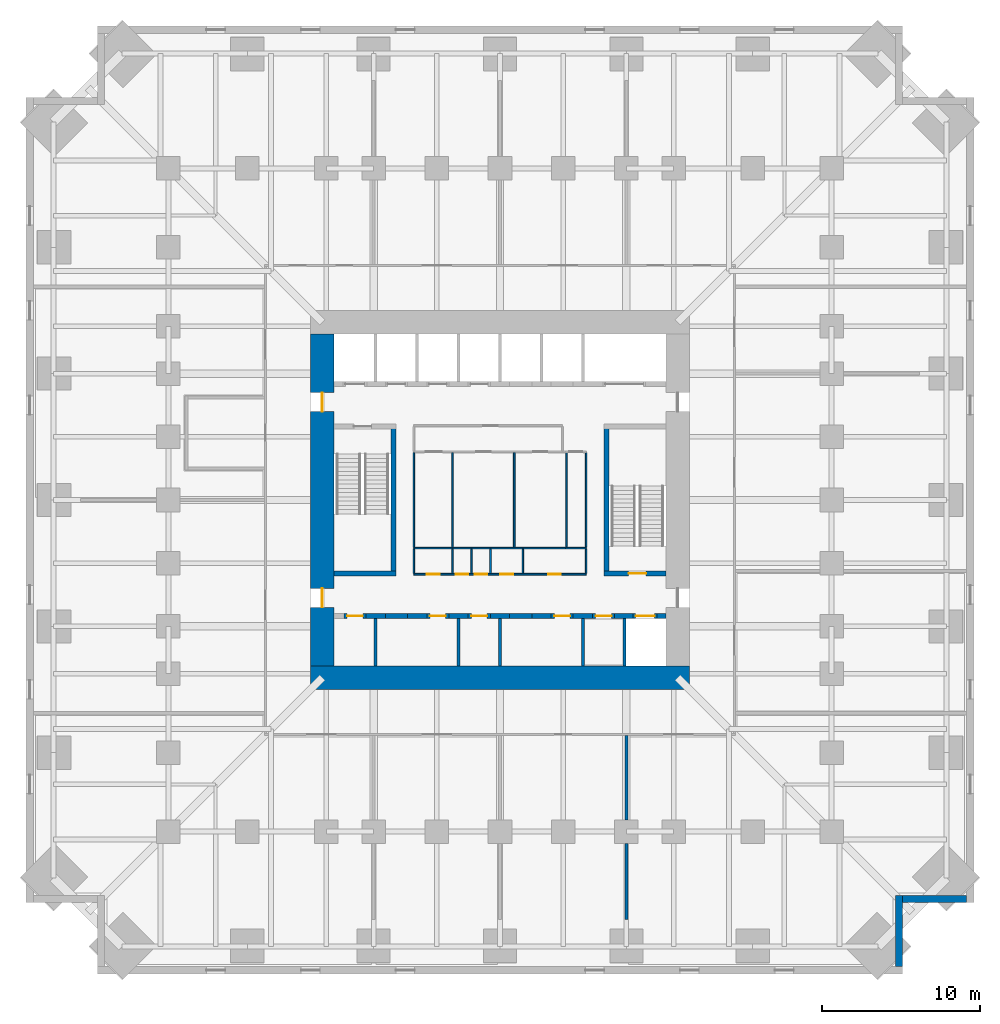
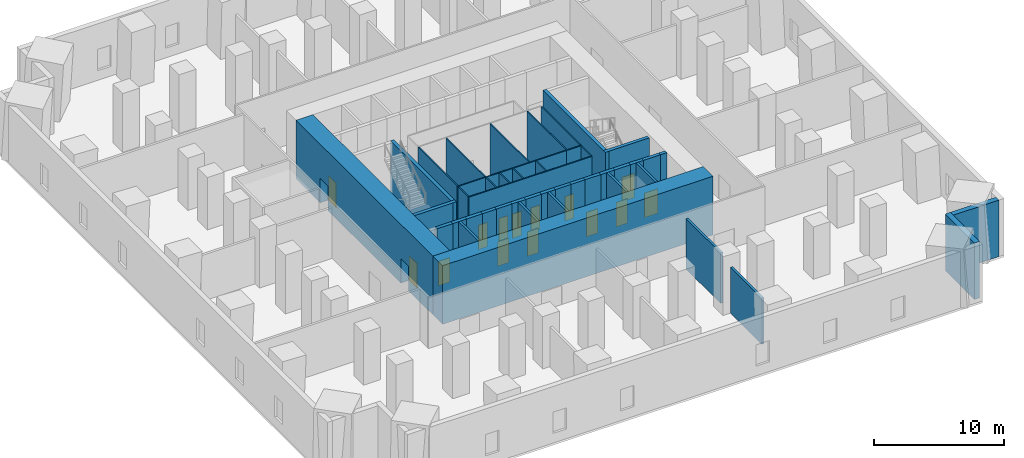
# One storey, part 4 of 8: 45 walls, 14 doors, 14 openings.
"""IFC4 building model written with IfcOpenShell, lengths in metres."""

import ifcopenshell
import ifcopenshell.guid

model = None  # the IFC model being written
_history = None  # IfcOwnerHistory: only IFC2X3 demands one
_inside = {}  # id of a spatial element -> (the spatial element, [elements in it])
_under = {}  # id of a project, library or spatial element -> (it, [spatial elements below it])
_declared = {}  # id of a project -> (the project, [libraries it declares])
_typed = {}  # id of a type object -> (the type object, [elements of that type])
_made_of = {}  # id of a material, layer set ... -> (it, [elements and type objects made of it])


def new_model(schema):
    """Start an empty IFC model of exactly this schema.

    Asked for "IFC4X3", IfcOpenShell would pick the latest addendum, in which some entities
    have other attributes; the version numbers below select the first issue.
    IFC2X3 requires an IfcOwnerHistory on every rooted entity: one is made here for all.
    """
    global model, _history
    if schema == "IFC4X3":
        model = ifcopenshell.file(schema_version=(4, 3, 0, 0))
    else:
        model = ifcopenshell.file(schema=schema)
    _inside.clear()
    _under.clear()
    _declared.clear()
    _typed.clear()
    _made_of.clear()
    _history = None
    if model.schema == "IFC2X3":
        org = make("IfcOrganization", Name="unknown")
        user = make(
            "IfcPersonAndOrganization",
            ThePerson=make("IfcPerson", FamilyName="unknown"),
            TheOrganization=org,
        )
        app = make(
            "IfcApplication",
            ApplicationDeveloper=org,
            Version="unknown",
            ApplicationFullName="unknown",
            ApplicationIdentifier="unknown",
        )
        _history = make(
            "IfcOwnerHistory",
            OwningUser=user,
            OwningApplication=app,
            ChangeAction="ADDED",
            CreationDate=0,
        )
    return model


def make(cls, **values):
    """One entity of the class cls with the attributes given. An attribute that is None is left unset."""
    return model.create_entity(
        cls, **{name: value for name, value in values.items() if value is not None}
    )


def rooted(cls, **values):
    """An entity with a GlobalId (a new one), such as an element, a storey or a relation."""
    return make(cls, GlobalId=ifcopenshell.guid.new(), OwnerHistory=_history, **values)


def si_unit(unit_type, name, prefix=None):
    """IfcSIUnit, for example si_unit("LENGTHUNIT", "METRE", prefix="MILLI")."""
    return make("IfcSIUnit", UnitType=unit_type, Prefix=prefix, Name=name)


def assignment(units):
    """IfcUnitAssignment: the units of a project."""
    return None if units is None else make("IfcUnitAssignment", Units=units)


def point(xyz):
    """IfcCartesianPoint."""
    return None if xyz is None else make("IfcCartesianPoint", Coordinates=xyz)


def direction(xyz):
    """IfcDirection."""
    return None if xyz is None else make("IfcDirection", DirectionRatios=xyz)


def frame(location, z_axis=None, x_axis=None):
    """IfcAxis2Placement3D, a coordinate frame: its origin and axes. An axis left out is left unset."""
    return make(
        "IfcAxis2Placement3D",
        Location=point(location),
        Axis=direction(z_axis),
        RefDirection=direction(x_axis),
    )


def frame_2d(location, x_axis=None):
    """IfcAxis2Placement2D, a coordinate frame in the plane: its origin and x axis."""
    return make(
        "IfcAxis2Placement2D", Location=point(location), RefDirection=direction(x_axis)
    )


def origin():
    """The frame at (0, 0, 0) with its axes left unset."""
    return frame((0.0, 0.0, 0.0))


def place(relative_to, where):
    """IfcLocalPlacement: puts the frame where relative to a parent placement (None: the world)."""
    return make(
        "IfcLocalPlacement", PlacementRelTo=relative_to, RelativePlacement=where
    )


def context(
    kind, dimensions, precision=None, world=None, true_north=None, identifier=None
):
    """IfcGeometricRepresentationContext, for example the 3D "Model" context."""
    return make(
        "IfcGeometricRepresentationContext",
        ContextIdentifier=identifier,
        ContextType=kind,
        CoordinateSpaceDimension=dimensions,
        Precision=precision,
        WorldCoordinateSystem=world,
        TrueNorth=true_north,
    )


def subcontext(parent, identifier, kind, view, scale=None):
    """IfcGeometricRepresentationSubContext, for example "Body" below "Model"."""
    return make(
        "IfcGeometricRepresentationSubContext",
        ContextIdentifier=identifier,
        ContextType=kind,
        ParentContext=parent,
        TargetScale=scale,
        TargetView=view,
    )


def project(units=None, contexts=None):
    """IfcProject with its units and contexts."""
    return rooted(
        "IfcProject",
        Name="project",
        RepresentationContexts=contexts,
        UnitsInContext=assignment(units),
    )


def spatial(cls, under=None, at=None, **own):
    """A site, building, storey or space (cls), placed at a placement, below another one or the project."""
    s = rooted(cls, ObjectPlacement=at, **own)
    if under is not None:
        _under.setdefault(under.id(), (under, []))[1].append(s)
    return s


def profile(cls, at=None, kind="AREA", **sizes):
    """A parametric profile (cls). Its sizes go by their IFC names, for example OverallWidth=200.0."""
    return make(cls, ProfileType=kind, Position=at, **sizes)


def rectangle(**sizes):
    """IfcRectangleProfileDef."""
    return profile("IfcRectangleProfileDef", **sizes)


def extrude(swept, where, along, depth):
    """IfcExtrudedAreaSolid: the profile swept, set in the frame where, extruded along a direction by depth."""
    return make(
        "IfcExtrudedAreaSolid",
        SweptArea=swept,
        Position=where,
        ExtrudedDirection=direction(along),
        Depth=depth,
    )


def shape(context_of_items, identifier, shape_type, items):
    """IfcShapeRepresentation: the items that make up one representation, for example the "Body"."""
    return make(
        "IfcShapeRepresentation",
        ContextOfItems=context_of_items,
        RepresentationIdentifier=identifier,
        RepresentationType=shape_type,
        Items=items,
    )


def material(Name=None, Category=None):
    """IfcMaterial."""
    return make("IfcMaterial", Name=Name, Category=Category)


def layer(
    of_material, thickness, ventilated=None, Name=None, Category=None, Priority=None
):
    """IfcMaterialLayer: one layer of a wall or slab, of a material (None: an air gap)."""
    return make(
        "IfcMaterialLayer",
        Material=of_material,
        LayerThickness=thickness,
        IsVentilated=ventilated,
        Name=Name,
        Category=Category,
        Priority=Priority,
    )


def layer_set(layers, Name=None):
    """IfcMaterialLayerSet."""
    return make("IfcMaterialLayerSet", MaterialLayers=layers, LayerSetName=Name)


def made_of(thing, what):
    """Note that an element or type object is made of a material, layer set ...; save() writes the relation."""
    if what is not None:
        _made_of.setdefault(what.id(), (what, []))[1].append(thing)
    return thing


def type_object(cls, material=None, **own):
    """A type object (cls), such as IfcWallType, which elements share."""
    return made_of(rooted(cls, **own), material)


def element(
    cls,
    number,
    at=None,
    inside=None,
    cuts=None,
    type_object=None,
    material=None,
    context=None,
    identifier="Body",
    shape_type=None,
    held_by="IfcProductDefinitionShape",
    body=None,
    shapes=None,
    **own,
):
    """One element of the class cls, such as IfcWall. Its Tag is "e" and its number.

    at: its placement. inside: the storey or other place that contains it. cuts: it is an
    opening in that element (IfcRelVoidsElement). A single representation is given by context,
    identifier, shape_type and body (its items); several are given by shapes. held_by: the class
    of the entity that holds the representations. save() writes the other relations.
    """
    e = rooted(cls, Tag="e%d" % number, ObjectPlacement=at, **own)
    if body is not None:
        shapes = [shape(context, identifier, shape_type, body)]
    if shapes is not None:
        e.Representation = make(held_by, Representations=shapes)
    if inside is not None:
        _inside.setdefault(inside.id(), (inside, []))[1].append(e)
    if cuts is not None:
        rooted(
            "IfcRelVoidsElement", RelatingBuildingElement=cuts, RelatedOpeningElement=e
        )
    if type_object is not None:
        _typed.setdefault(type_object.id(), (type_object, []))[1].append(e)
    return made_of(e, material)


def fill(opening, filler):
    """IfcRelFillsElement: the door or window that sits in an opening."""
    return rooted(
        "IfcRelFillsElement",
        RelatingOpeningElement=opening,
        RelatedBuildingElement=filler,
    )


def aggregate(whole, parts):
    """IfcRelAggregates: a whole, such as a stair, and the parts it consists of."""
    return rooted("IfcRelAggregates", RelatingObject=whole, RelatedObjects=parts)


def save(model, path):
    """Write the relations noted so far, then the file.

    IfcRelAggregates (storeys below a building ...), IfcRelContainedInSpatialStructure (elements
    in a storey), IfcRelDefinesByType, IfcRelAssociatesMaterial and IfcRelDeclares: one each for
    every whole, place, type object, material and project.
    """
    for whole, parts in _under.values():
        aggregate(whole, parts)
    for where, things in _inside.values():
        rooted(
            "IfcRelContainedInSpatialStructure",
            RelatedElements=things,
            RelatingStructure=where,
        )
    for kind, things in _typed.values():
        rooted("IfcRelDefinesByType", RelatedObjects=things, RelatingType=kind)
    for what, things in _made_of.values():
        rooted("IfcRelAssociatesMaterial", RelatedObjects=things, RelatingMaterial=what)
    for by, libraries in _declared.values():
        rooted("IfcRelDeclares", RelatingContext=by, RelatedDefinitions=libraries)
    model.write(path)


model = new_model("IFC4")

# Units and contexts
model_context = context("Model", 3, precision=1e-05, world=origin(), true_north=direction((0.0, 1.0)))
body_context = subcontext(model_context, "Body", "Model", "MODEL_VIEW")
ifc_project = project(units=[si_unit("LENGTHUNIT", "METRE"), si_unit("AREAUNIT", "SQUARE_METRE"), si_unit("VOLUMEUNIT", "CUBIC_METRE"), si_unit("PLANEANGLEUNIT", "RADIAN"), si_unit("MASSUNIT", "GRAM", prefix="KILO")], contexts=[model_context])

# Site, building, storey
site_placement = place(None, origin())
site = spatial("IfcSite", under=ifc_project, at=site_placement, CompositionType="ELEMENT")
building_placement = place(site_placement, origin())
building = spatial("IfcBuilding", under=site, at=building_placement, Name="Peilmerk Tower", CompositionType="ELEMENT")
storey_placement = place(building_placement, frame((0.0, 0.0, 65.0)))
storey = spatial("IfcBuildingStorey", under=building, at=storey_placement, Name="L12", CompositionType="ELEMENT", Elevation=65.0)

# Walls
ifc_material_1 = material(Name="Precast concrete C45/55, board-marked finish", Category="concrete")
ifc_layer_1 = layer(ifc_material_1, 0.449951171875)
ifc_layer_set_1 = layer_set([ifc_layer_1], Name="Precast concrete C45/55, board-marked finish")
wall_type_1 = type_object("IfcWallType", Name="EW1 450 precast concrete facade wall, board-marked", PredefinedType="SOLIDWALL", material=ifc_layer_set_1)
wall_1_placement = place(storey_placement, frame((25.27490234375, -25.050048828125, 0.0), z_axis=(0.0, 0.0, 1.0), x_axis=(0.0, -1.0, 0.0)))
element("IfcWall", 1, at=wall_1_placement, inside=storey, type_object=wall_type_1, Name="Facade wall SEA L12", PredefinedType="SOLIDWALL", context=body_context, shape_type="SweptSolid", body=[
    extrude(rectangle(XDim=4.5, YDim=0.449951171875, at=frame_2d((2.25, 0.0))), origin(), (0.0, 0.0, 1.0), 5.300048828125),
])
wall_2_placement = place(storey_placement, frame((25.5, -25.27490234375, 0.0), z_axis=(0.0, 0.0, 1.0), x_axis=(1.0, 0.0, 0.0)))
element("IfcWall", 2, at=wall_2_placement, inside=storey, type_object=wall_type_1, Name="Facade wall SEB L12", PredefinedType="SOLIDWALL", context=body_context, shape_type="SweptSolid", body=[
    extrude(rectangle(XDim=4.050048828125, YDim=0.449951171875, at=frame_2d((2.02490234375, 0.0))), origin(), (0.0, 0.0, 1.0), 5.300048828125),
])
ifc_material_2 = material(Name="Calcium silicate block", Category="masonry")
ifc_layer_2 = layer(ifc_material_2, 0.199951171875)
ifc_layer_set_2 = layer_set([ifc_layer_2], Name="Calcium silicate block")
wall_type_2 = type_object("IfcWallType", Name="IW2 200 room separating wall, EI 120", PredefinedType="PARTITIONING", material=ifc_layer_set_2)
wall_3_placement = place(storey_placement, frame((8.0, -14.925048828125, 0.0), z_axis=(0.0, 0.0, 1.0), x_axis=(0.0, -1.0, 0.0)))
element("IfcWall", 3, at=wall_3_placement, inside=storey, type_object=wall_type_2, Name="Room separating wall S3 L12", PredefinedType="PARTITIONING", context=body_context, shape_type="SweptSolid", body=[
    extrude(rectangle(XDim=5.324951171875, YDim=0.199951171875, at=frame_2d((2.66259765625, 0.0))), origin(), (0.0, 0.0, 1.0), 4.73095703125),
])
wall_4_placement = place(storey_placement, frame((8.0, -21.75, 0.0), z_axis=(0.0, 0.0, 1.0), x_axis=(0.0, -1.0, 0.0)))
element("IfcWall", 4, at=wall_4_placement, inside=storey, type_object=wall_type_2, Name="Room separating wall S3b L12", PredefinedType="PARTITIONING", context=body_context, shape_type="SweptSolid", body=[
    extrude(rectangle(XDim=4.819091796875, YDim=0.199951171875, at=frame_2d((2.40966796875, 0.0))), origin(), (0.0, 0.0, 1.0), 4.31005859375),
])
ifc_material_3 = material(Name="Concrete C35/45", Category="concrete")
ifc_layer_3 = layer(ifc_material_3, 0.300048828125)
ifc_layer_set_3 = layer_set([ifc_layer_3], Name="Concrete C35/45")
wall_type_3 = type_object("IfcWallType", Name="IW3 300 concrete stair enclosure wall, EI 120", PredefinedType="SOLIDWALL", material=ifc_layer_set_3)
wall_5_placement = place(storey_placement, frame((-6.75, -4.800048828125, 0.0), z_axis=(0.0, 0.0, 1.0), x_axis=(0.0, 1.0, 0.0)))
element("IfcWall", 5, at=wall_5_placement, inside=storey, type_object=wall_type_3, Name="Stair 1 enclosure L12", PredefinedType="SOLIDWALL", context=body_context, shape_type="SweptSolid", body=[
    extrude(rectangle(XDim=9.60009765625, YDim=0.300048828125, at=frame_2d((4.800048828125, 0.0))), origin(), (0.0, 0.0, 1.0), 5.25),
])
wall_6_placement = place(storey_placement, frame((-6.60009765625, -4.64990234375, 0.0), z_axis=(0.0, 0.0, 1.0), x_axis=(-1.0, 0.0, 0.0)))
element("IfcWall", 6, at=wall_6_placement, inside=storey, type_object=wall_type_3, Name="Stair 1 enclosure L12", PredefinedType="SOLIDWALL", context=body_context, shape_type="SweptSolid", body=[
    extrude(rectangle(XDim=3.89990234375, YDim=0.300048828125, at=frame_2d((1.949951171875, 0.0))), origin(), (0.0, 0.0, 1.0), 5.25),
])
wall_7_placement = place(storey_placement, frame((6.75, -4.800048828125, 0.0), z_axis=(0.0, 0.0, 1.0), x_axis=(0.0, 1.0, 0.0)))
element("IfcWall", 7, at=wall_7_placement, inside=storey, type_object=wall_type_3, Name="Stair 2 enclosure L12", PredefinedType="SOLIDWALL", context=body_context, shape_type="SweptSolid", body=[
    extrude(rectangle(XDim=9.60009765625, YDim=0.300048828125, at=frame_2d((4.800048828125, 0.0))), origin(), (0.0, 0.0, 1.0), 5.25),
])

# Wall, opening, door
wall_8_placement = place(storey_placement, frame((10.5, -4.64990234375, 0.0), z_axis=(0.0, 0.0, 1.0), x_axis=(-1.0, 0.0, 0.0)))
wall_8 = element("IfcWall", 8, at=wall_8_placement, inside=storey, type_object=wall_type_3, Name="Stair 2 enclosure L12", PredefinedType="SOLIDWALL", context=body_context, shape_type="SweptSolid", body=[
    extrude(rectangle(XDim=3.89990234375, YDim=0.300048828125, at=frame_2d((1.949951171875, 0.0))), origin(), (0.0, 0.0, 1.0), 5.25),
])
opening_1_placement = place(wall_8_placement, frame((1.25, 0.0, 0.0)))
opening_1 = element("IfcOpeningElement", 9, at=opening_1_placement, cuts=wall_8, Name="Opening D4", PredefinedType="OPENING", context=body_context, shape_type="SweptSolid", body=[
    extrude(rectangle(XDim=1.10009765625, YDim=2.300048828125, at=frame_2d((0.550048828125, 1.14990234375))), frame((0.0, 0.159912109375, 0.0), z_axis=(0.0, -1.0, 0.0), x_axis=(1.0, 0.0, 0.0)), (0.0, 0.0, 1.0), 0.320068359375),
])
ifc_material_4 = material(Name="Steel door in steel frame", Category="steel")
door_type_1 = type_object("IfcDoorType", Name="D4 1100x2300 stair door, EI2 60", OperationType="SINGLE_SWING_RIGHT", PredefinedType="DOOR", material=ifc_material_4)
door_1_placement = place(opening_1_placement, frame((1.10009765625, 0.0, 0.0), z_axis=(0.0, 0.0, 1.0), x_axis=(-1.0, 0.0, 0.0)))
door_1 = element("IfcDoor", 10, at=door_1_placement, inside=storey, type_object=door_type_1, Name="Stair 2 door L12", OperationType="SINGLE_SWING_RIGHT", OverallHeight=2.300048828125, OverallWidth=1.10009765625, PredefinedType="DOOR", context=body_context, shape_type="SweptSolid", body=[
    extrude(rectangle(XDim=1.10009765625, YDim=2.300048828125, at=frame_2d((0.550048828125, 1.14990234375))), frame((0.0, 0.02490234375, 0.0), z_axis=(0.0, -1.0, 0.0), x_axis=(1.0, 0.0, 0.0)), (0.0, 0.0, 1.0), 0.050048828125),
])
fill(opening_1, door_1)

# Walls
ifc_material_5 = material(Name="Plasterboard on steel studs", Category="steel")
ifc_layer_4 = layer(ifc_material_5, 0.10009765625)
ifc_layer_set_4 = layer_set([ifc_layer_4], Name="Plasterboard on steel studs")
wall_type_4 = type_object("IfcWallType", Name="IW4 100 WC partition", PredefinedType="PARTITIONING", material=ifc_layer_set_4)
wall_9_placement = place(storey_placement, frame((4.14990234375, -3.050048828125, 0.0), z_axis=(0.0, 0.0, 1.0), x_axis=(-1.0, 0.0, 0.0)))
element("IfcWall", 11, at=wall_9_placement, inside=storey, type_object=wall_type_4, Name="WC wall L12", PredefinedType="PARTITIONING", context=body_context, shape_type="SweptSolid", body=[
    extrude(rectangle(XDim=9.599853515625, YDim=0.10009765625, at=frame_2d((4.7998046875, 0.0))), origin(), (0.0, 0.0, 1.0), 5.25),
])
for number, where, z_axis, x_axis, name in (
    (12, (-5.449951171875, -3.0, 0.0), (0.0, 0.0, 1.0), (0.0, 1.0, 0.0), "WC wall L12"),
    (13, (-3.0, -3.0, 0.0), (0.0, 0.0, 1.0), (0.0, 1.0, 0.0), "WC wall L12"),
    (14, (0.89990234375, -3.0, 0.0), (0.0, 0.0, 1.0), (0.0, 1.0, 0.0), "WC wall L12"),
):
    element("IfcWall", number, at=place(storey_placement, frame(where, z_axis=z_axis, x_axis=x_axis)), inside=storey, type_object=wall_type_4, Name=name, PredefinedType="PARTITIONING", context=body_context, shape_type="SweptSolid", body=[
        extrude(rectangle(XDim=6.0, YDim=0.10009765625, at=frame_2d((3.0, 0.0))), origin(), (0.0, 0.0, 1.0), 5.25),
    ])
ifc_material_6 = material(Name="Calcium silicate board on steel studs", Category="steel")
ifc_layer_5 = layer(ifc_material_6, 0.10009765625)
ifc_layer_set_5 = layer_set([ifc_layer_5], Name="Calcium silicate board on steel studs")
wall_type_5 = type_object("IfcWallType", Name="IW5 100 riser enclosure wall, EI 60", PredefinedType="PARTITIONING", material=ifc_layer_set_5)
wall_10_placement = place(storey_placement, frame((5.449951171875, -3.050048828125, 0.0), z_axis=(0.0, 0.0, 1.0), x_axis=(-1.0, 0.0, 0.0)))
element("IfcWall", 15, at=wall_10_placement, inside=storey, type_object=wall_type_5, Name="Riser wall L12", PredefinedType="PARTITIONING", context=body_context, shape_type="SweptSolid", body=[
    extrude(rectangle(XDim=1.300048828125, YDim=0.10009765625, at=frame_2d((0.64990234375, 0.0))), origin(), (0.0, 0.0, 1.0), 5.25),
])
for number, where, z_axis, x_axis, name in (
    (16, (5.449951171875, 3.0, 0.0), (0.0, 0.0, 1.0), (0.0, -1.0, 0.0), "Riser wall L12"),
    (17, (4.199951171875, -3.0, 0.0), (0.0, 0.0, 1.0), (0.0, 1.0, 0.0), "Riser wall L12"),
):
    element("IfcWall", number, at=place(storey_placement, frame(where, z_axis=z_axis, x_axis=x_axis)), inside=storey, type_object=wall_type_5, Name=name, PredefinedType="PARTITIONING", context=body_context, shape_type="SweptSolid", body=[
        extrude(rectangle(XDim=6.0, YDim=0.10009765625, at=frame_2d((3.0, 0.0))), origin(), (0.0, 0.0, 1.0), 5.25),
    ])

# Wall, openings, doors
wall_11_placement = place(storey_placement, frame((5.449951171875, -4.699951171875, 0.0), z_axis=(0.0, 0.0, 1.0), x_axis=(-1.0, 0.0, 0.0)))
wall_11 = element("IfcWall", 18, at=wall_11_placement, inside=storey, type_object=wall_type_5, Name="Riser wall L12", PredefinedType="PARTITIONING", context=body_context, shape_type="SweptSolid", body=[
    extrude(rectangle(XDim=10.89990234375, YDim=0.10009765625, at=frame_2d((5.449951171875, 0.0))), origin(), (0.0, 0.0, 1.0), 5.25),
])
opening_2_placement = place(wall_11_placement, frame((9.27490234375, 0.0, 0.0)))
opening_2 = element("IfcOpeningElement", 19, at=opening_2_placement, cuts=wall_11, Name="Opening D7", PredefinedType="OPENING", context=body_context, shape_type="SweptSolid", body=[
    extrude(rectangle(XDim=0.800048828125, YDim=2.300048828125, at=frame_2d((0.39990234375, 1.14990234375))), frame((0.0, 0.06005859375, 0.0), z_axis=(0.0, -1.0, 0.0), x_axis=(1.0, 0.0, 0.0)), (0.0, 0.0, 1.0), 0.1201171875),
])
opening_3_placement = place(wall_11_placement, frame((7.449951171875, 0.0, 0.0)))
opening_3 = element("IfcOpeningElement", 20, at=opening_3_placement, cuts=wall_11, Name="Opening D7", PredefinedType="OPENING", context=body_context, shape_type="SweptSolid", body=[
    extrude(rectangle(XDim=0.800048828125, YDim=2.300048828125, at=frame_2d((0.39990234375, 1.14990234375))), frame((0.0, 0.06005859375, 0.0), z_axis=(0.0, -1.0, 0.0), x_axis=(1.0, 0.0, 0.0)), (0.0, 0.0, 1.0), 0.1201171875),
])
opening_4_placement = place(wall_11_placement, frame((6.25, 0.0, 0.0)))
opening_4 = element("IfcOpeningElement", 21, at=opening_4_placement, cuts=wall_11, Name="Opening D7", PredefinedType="OPENING", context=body_context, shape_type="SweptSolid", body=[
    extrude(rectangle(XDim=0.800048828125, YDim=2.300048828125, at=frame_2d((0.39990234375, 1.14990234375))), frame((0.0, 0.06005859375, 0.0), z_axis=(0.0, -1.0, 0.0), x_axis=(1.0, 0.0, 0.0)), (0.0, 0.0, 1.0), 0.1201171875),
])
opening_5_placement = place(wall_11_placement, frame((4.625, 0.0, 0.0)))
opening_5 = element("IfcOpeningElement", 22, at=opening_5_placement, cuts=wall_11, Name="Opening D7", PredefinedType="OPENING", context=body_context, shape_type="SweptSolid", body=[
    extrude(rectangle(XDim=0.800048828125, YDim=2.300048828125, at=frame_2d((0.39990234375, 1.14990234375))), frame((0.0, 0.06005859375, 0.0), z_axis=(0.0, -1.0, 0.0), x_axis=(1.0, 0.0, 0.0)), (0.0, 0.0, 1.0), 0.1201171875),
])
opening_6_placement = place(wall_11_placement, frame((1.60009765625, 0.0, 0.0)))
opening_6 = element("IfcOpeningElement", 23, at=opening_6_placement, cuts=wall_11, Name="Opening D7", PredefinedType="OPENING", context=body_context, shape_type="SweptSolid", body=[
    extrude(rectangle(XDim=0.800048828125, YDim=2.300048828125, at=frame_2d((0.39990234375, 1.14990234375))), frame((0.0, 0.06005859375, 0.0), z_axis=(0.0, -1.0, 0.0), x_axis=(1.0, 0.0, 0.0)), (0.0, 0.0, 1.0), 0.1201171875),
])
door_type_2 = type_object("IfcDoorType", Name="D7 800x2300 riser access door, EI2 60", OperationType="SINGLE_SWING_RIGHT", PredefinedType="DOOR", material=ifc_material_4)
door_2_placement = place(opening_2_placement, frame((0.800048828125, 0.0, 0.0), z_axis=(0.0, 0.0, 1.0), x_axis=(-1.0, 0.0, 0.0)))
door_2 = element("IfcDoor", 24, at=door_2_placement, inside=storey, type_object=door_type_2, Name="Cleaner's cupboard door L12", OperationType="SINGLE_SWING_RIGHT", OverallHeight=2.300048828125, OverallWidth=0.800048828125, PredefinedType="DOOR", context=body_context, shape_type="SweptSolid", body=[
    extrude(rectangle(XDim=0.800048828125, YDim=2.300048828125, at=frame_2d((0.39990234375, 1.14990234375))), frame((0.0, 0.02490234375, 0.0), z_axis=(0.0, -1.0, 0.0), x_axis=(1.0, 0.0, 0.0)), (0.0, 0.0, 1.0), 0.050048828125),
])
fill(opening_2, door_2)
door_3_placement = place(opening_3_placement, frame((0.800048828125, 0.0, 0.0), z_axis=(0.0, 0.0, 1.0), x_axis=(-1.0, 0.0, 0.0)))
door_3 = element("IfcDoor", 25, at=door_3_placement, inside=storey, type_object=door_type_2, Name="Electrical riser door L12", OperationType="SINGLE_SWING_RIGHT", OverallHeight=2.300048828125, OverallWidth=0.800048828125, PredefinedType="DOOR", context=body_context, shape_type="SweptSolid", body=[
    extrude(rectangle(XDim=0.800048828125, YDim=2.300048828125, at=frame_2d((0.39990234375, 1.14990234375))), frame((0.0, 0.02490234375, 0.0), z_axis=(0.0, -1.0, 0.0), x_axis=(1.0, 0.0, 0.0)), (0.0, 0.0, 1.0), 0.050048828125),
])
fill(opening_3, door_3)
door_4_placement = place(opening_4_placement, frame((0.800048828125, 0.0, 0.0), z_axis=(0.0, 0.0, 1.0), x_axis=(-1.0, 0.0, 0.0)))
door_4 = element("IfcDoor", 26, at=door_4_placement, inside=storey, type_object=door_type_2, Name="Data riser door L12", OperationType="SINGLE_SWING_RIGHT", OverallHeight=2.300048828125, OverallWidth=0.800048828125, PredefinedType="DOOR", context=body_context, shape_type="SweptSolid", body=[
    extrude(rectangle(XDim=0.800048828125, YDim=2.300048828125, at=frame_2d((0.39990234375, 1.14990234375))), frame((0.0, 0.02490234375, 0.0), z_axis=(0.0, -1.0, 0.0), x_axis=(1.0, 0.0, 0.0)), (0.0, 0.0, 1.0), 0.050048828125),
])
fill(opening_4, door_4)
door_5_placement = place(opening_5_placement, frame((0.800048828125, 0.0, 0.0), z_axis=(0.0, 0.0, 1.0), x_axis=(-1.0, 0.0, 0.0)))
door_5 = element("IfcDoor", 27, at=door_5_placement, inside=storey, type_object=door_type_2, Name="Electrical room door L12", OperationType="SINGLE_SWING_RIGHT", OverallHeight=2.300048828125, OverallWidth=0.800048828125, PredefinedType="DOOR", context=body_context, shape_type="SweptSolid", body=[
    extrude(rectangle(XDim=0.800048828125, YDim=2.300048828125, at=frame_2d((0.39990234375, 1.14990234375))), frame((0.0, 0.02490234375, 0.0), z_axis=(0.0, -1.0, 0.0), x_axis=(1.0, 0.0, 0.0)), (0.0, 0.0, 1.0), 0.050048828125),
])
fill(opening_5, door_5)
door_6_placement = place(opening_6_placement, frame((0.800048828125, 0.0, 0.0), z_axis=(0.0, 0.0, 1.0), x_axis=(-1.0, 0.0, 0.0)))
door_6 = element("IfcDoor", 28, at=door_6_placement, inside=storey, type_object=door_type_2, Name="Comms room door L12", OperationType="SINGLE_SWING_RIGHT", OverallHeight=2.300048828125, OverallWidth=0.800048828125, PredefinedType="DOOR", context=body_context, shape_type="SweptSolid", body=[
    extrude(rectangle(XDim=0.800048828125, YDim=2.300048828125, at=frame_2d((0.39990234375, 1.14990234375))), frame((0.0, 0.02490234375, 0.0), z_axis=(0.0, -1.0, 0.0), x_axis=(1.0, 0.0, 0.0)), (0.0, 0.0, 1.0), 0.050048828125),
])
fill(opening_6, door_6)

# Walls
for number, where, z_axis, x_axis, name in (
    (29, (-5.449951171875, -3.10009765625, 0.0), (0.0, 0.0, 1.0), (0.0, -1.0, 0.0), "Riser wall L12"),
    (30, (5.449951171875, -3.10009765625, 0.0), (0.0, 0.0, 1.0), (0.0, -1.0, 0.0), "Riser wall L12"),
    (31, (-3.0, -3.10009765625, 0.0), (0.0, 0.0, 1.0), (0.0, -1.0, 0.0), "Riser wall L12"),
    (32, (-1.800048828125, -3.10009765625, 0.0), (0.0, 0.0, 1.0), (0.0, -1.0, 0.0), "Riser wall L12"),
    (33, (-0.60009765625, -3.10009765625, 0.0), (0.0, 0.0, 1.0), (0.0, -1.0, 0.0), "Riser wall L12"),
    (34, (1.449951171875, -3.10009765625, 0.0), (0.0, 0.0, 1.0), (0.0, -1.0, 0.0), "Riser wall L12"),
):
    element("IfcWall", number, at=place(storey_placement, frame(where, z_axis=z_axis, x_axis=x_axis)), inside=storey, type_object=wall_type_5, Name=name, PredefinedType="PARTITIONING", context=body_context, shape_type="SweptSolid", body=[
        extrude(rectangle(XDim=1.5498046875, YDim=0.10009765625, at=frame_2d((0.77490234375, 0.0))), origin(), (0.0, 0.0, 1.0), 5.25),
    ])
ifc_layer_6 = layer(ifc_material_2, 0.199951171875)
ifc_layer_set_6 = layer_set([ifc_layer_6], Name="Calcium silicate block")
wall_type_6 = type_object("IfcWallType", Name="SH1 200 shaft dividing wall, EI 120", PredefinedType="PARTITIONING", material=ifc_layer_set_6)
for number, where, z_axis, x_axis, name in (
    (35, (-7.875, -10.5, 0.0), (0.0, 0.0, 1.0), (0.0, 1.0, 0.0), "Shaft wall S C4 L12"),
    (36, (-2.625, -10.5, 0.0), (0.0, 0.0, 1.0), (0.0, 1.0, 0.0), "Shaft wall S C2 L12"),
    (37, (0.0, -10.5, 0.0), (0.0, 0.0, 1.0), (0.0, 1.0, 0.0), "Shaft wall S C1 L12"),
    (38, (5.25, -10.5, 0.0), (0.0, 0.0, 1.0), (0.0, 1.0, 0.0), "Shaft wall S B2 L12"),
    (39, (7.875, -10.5, 0.0), (0.0, 0.0, 1.0), (0.0, 1.0, 0.0), "Shaft wall S B1 L12"),
):
    element("IfcWall", number, at=place(storey_placement, frame(where, z_axis=z_axis, x_axis=x_axis)), inside=storey, type_object=wall_type_6, Name=name, PredefinedType="PARTITIONING", context=body_context, shape_type="SweptSolid", body=[
        extrude(rectangle(XDim=3.0, YDim=0.199951171875, at=frame_2d((1.5, 0.0))), origin(), (0.0, 0.0, 1.0), 5.5),
    ])

# Wall, opening, door
ifc_layer_7 = layer(ifc_material_2, 0.300048828125)
ifc_layer_set_7 = layer_set([ifc_layer_7], Name="Calcium silicate block")
wall_type_7 = type_object("IfcWallType", Name="SH2 300 lift landing door panel, EI 120", PredefinedType="PARTITIONING", material=ifc_layer_set_7)
wall_12_placement = place(storey_placement, frame((-9.887451171875, -7.35009765625, 0.0), z_axis=(0.0, 0.0, 1.0), x_axis=(1.0, 0.0, 0.0)))
wall_12 = element("IfcWall", 40, at=wall_12_placement, inside=storey, type_object=wall_type_7, Name="Lift door panel S C4 L12", PredefinedType="PARTITIONING", context=body_context, shape_type="SweptSolid", body=[
    extrude(rectangle(XDim=1.39990234375, YDim=0.300048828125, at=frame_2d((0.699951171875, 0.0))), origin(), (0.0, 0.0, 1.0), 5.5),
])
opening_7_placement = place(wall_12_placement, frame((0.199951171875, 0.0, 0.0)))
opening_7 = element("IfcOpeningElement", 41, at=opening_7_placement, cuts=wall_12, Name="Opening D10", PredefinedType="OPENING", context=body_context, shape_type="SweptSolid", body=[
    extrude(rectangle(XDim=1.0, YDim=2.300048828125, at=frame_2d((0.5, 1.14990234375))), frame((0.0, 0.159912109375, 0.0), z_axis=(0.0, -1.0, 0.0), x_axis=(1.0, 0.0, 0.0)), (0.0, 0.0, 1.0), 0.320068359375),
])
door_type_3 = type_object("IfcDoorType", Name="D10 1000x2300 core room door, EI2 60", OperationType="SINGLE_SWING_RIGHT", PredefinedType="DOOR", material=ifc_material_4)
door_7_placement = place(opening_7_placement, frame((1.0, 0.0, 0.0), z_axis=(0.0, 0.0, 1.0), x_axis=(-1.0, 0.0, 0.0)))
door_7 = element("IfcDoor", 42, at=door_7_placement, inside=storey, type_object=door_type_3, Name="Door Water meter room L12", OperationType="SINGLE_SWING_RIGHT", OverallHeight=2.300048828125, OverallWidth=1.0, PredefinedType="DOOR", context=body_context, shape_type="SweptSolid", body=[
    extrude(rectangle(XDim=1.0, YDim=2.300048828125, at=frame_2d((0.5, 1.14990234375))), frame((0.0, 0.02490234375, 0.0), z_axis=(0.0, -1.0, 0.0), x_axis=(1.0, 0.0, 0.0)), (0.0, 0.0, 1.0), 0.050048828125),
])
fill(opening_7, door_7)

# Wall
wall_13_placement = place(storey_placement, frame((-7.262451171875, -7.35009765625, 0.0), z_axis=(0.0, 0.0, 1.0), x_axis=(1.0, 0.0, 0.0)))
element("IfcWall", 43, at=wall_13_placement, inside=storey, type_object=wall_type_7, Name="Lift door panel S C3 L12", PredefinedType="PARTITIONING", context=body_context, shape_type="SweptSolid", body=[
    extrude(rectangle(XDim=1.39990234375, YDim=0.300048828125, at=frame_2d((0.699951171875, 0.0))), origin(), (0.0, 0.0, 1.0), 5.5),
])

# Wall, opening, door
wall_14_placement = place(storey_placement, frame((-4.637451171875, -7.35009765625, 0.0), z_axis=(0.0, 0.0, 1.0), x_axis=(1.0, 0.0, 0.0)))
wall_14 = element("IfcWall", 44, at=wall_14_placement, inside=storey, type_object=wall_type_7, Name="Lift door panel S C2 L12", PredefinedType="PARTITIONING", context=body_context, shape_type="SweptSolid", body=[
    extrude(rectangle(XDim=1.39990234375, YDim=0.300048828125, at=frame_2d((0.699951171875, 0.0))), origin(), (0.0, 0.0, 1.0), 5.5),
])
opening_8_placement = place(wall_14_placement, frame((0.199951171875, 0.0, 0.0)))
opening_8 = element("IfcOpeningElement", 45, at=opening_8_placement, cuts=wall_14, Name="Opening D10", PredefinedType="OPENING", context=body_context, shape_type="SweptSolid", body=[
    extrude(rectangle(XDim=1.0, YDim=2.300048828125, at=frame_2d((0.5, 1.14990234375))), frame((0.0, 0.159912109375, 0.0), z_axis=(0.0, -1.0, 0.0), x_axis=(1.0, 0.0, 0.0)), (0.0, 0.0, 1.0), 0.320068359375),
])
door_8_placement = place(opening_8_placement, frame((1.0, 0.0, 0.0), z_axis=(0.0, 0.0, 1.0), x_axis=(-1.0, 0.0, 0.0)))
door_8 = element("IfcDoor", 46, at=door_8_placement, inside=storey, type_object=door_type_3, Name="Door Vending room L12", OperationType="SINGLE_SWING_RIGHT", OverallHeight=2.300048828125, OverallWidth=1.0, PredefinedType="DOOR", context=body_context, shape_type="SweptSolid", body=[
    extrude(rectangle(XDim=1.0, YDim=2.300048828125, at=frame_2d((0.5, 1.14990234375))), frame((0.0, 0.02490234375, 0.0), z_axis=(0.0, -1.0, 0.0), x_axis=(1.0, 0.0, 0.0)), (0.0, 0.0, 1.0), 0.050048828125),
])
fill(opening_8, door_8)

wall_15_placement = place(storey_placement, frame((-2.012451171875, -7.35009765625, 0.0), z_axis=(0.0, 0.0, 1.0), x_axis=(1.0, 0.0, 0.0)))
wall_15 = element("IfcWall", 47, at=wall_15_placement, inside=storey, type_object=wall_type_7, Name="Lift door panel S C1 L12", PredefinedType="PARTITIONING", context=body_context, shape_type="SweptSolid", body=[
    extrude(rectangle(XDim=1.39990234375, YDim=0.300048828125, at=frame_2d((0.699951171875, 0.0))), origin(), (0.0, 0.0, 1.0), 5.5),
])
opening_9_placement = place(wall_15_placement, frame((0.199951171875, 0.0, 0.0)))
opening_9 = element("IfcOpeningElement", 48, at=opening_9_placement, cuts=wall_15, Name="Opening D10", PredefinedType="OPENING", context=body_context, shape_type="SweptSolid", body=[
    extrude(rectangle(XDim=1.0, YDim=2.300048828125, at=frame_2d((0.5, 1.14990234375))), frame((0.0, 0.159912109375, 0.0), z_axis=(0.0, -1.0, 0.0), x_axis=(1.0, 0.0, 0.0)), (0.0, 0.0, 1.0), 0.320068359375),
])
door_9_placement = place(opening_9_placement, frame((1.0, 0.0, 0.0), z_axis=(0.0, 0.0, 1.0), x_axis=(-1.0, 0.0, 0.0)))
door_9 = element("IfcDoor", 49, at=door_9_placement, inside=storey, type_object=door_type_3, Name="Door Staff WC L12", OperationType="SINGLE_SWING_RIGHT", OverallHeight=2.300048828125, OverallWidth=1.0, PredefinedType="DOOR", context=body_context, shape_type="SweptSolid", body=[
    extrude(rectangle(XDim=1.0, YDim=2.300048828125, at=frame_2d((0.5, 1.14990234375))), frame((0.0, 0.02490234375, 0.0), z_axis=(0.0, -1.0, 0.0), x_axis=(1.0, 0.0, 0.0)), (0.0, 0.0, 1.0), 0.050048828125),
])
fill(opening_9, door_9)

# Wall
wall_16_placement = place(storey_placement, frame((0.612548828125, -7.35009765625, 0.0), z_axis=(0.0, 0.0, 1.0), x_axis=(1.0, 0.0, 0.0)))
element("IfcWall", 50, at=wall_16_placement, inside=storey, type_object=wall_type_7, Name="Lift door panel S B3 L12", PredefinedType="PARTITIONING", context=body_context, shape_type="SweptSolid", body=[
    extrude(rectangle(XDim=1.39990234375, YDim=0.300048828125, at=frame_2d((0.699951171875, 0.0))), origin(), (0.0, 0.0, 1.0), 5.5),
])

# Wall, opening, door
wall_17_placement = place(storey_placement, frame((3.237548828125, -7.35009765625, 0.0), z_axis=(0.0, 0.0, 1.0), x_axis=(1.0, 0.0, 0.0)))
wall_17 = element("IfcWall", 51, at=wall_17_placement, inside=storey, type_object=wall_type_7, Name="Lift door panel S B2 L12", PredefinedType="PARTITIONING", context=body_context, shape_type="SweptSolid", body=[
    extrude(rectangle(XDim=1.39990234375, YDim=0.300048828125, at=frame_2d((0.699951171875, 0.0))), origin(), (0.0, 0.0, 1.0), 5.5),
])
opening_10_placement = place(wall_17_placement, frame((0.199951171875, 0.0, 0.0)))
opening_10 = element("IfcOpeningElement", 52, at=opening_10_placement, cuts=wall_17, Name="Opening D10", PredefinedType="OPENING", context=body_context, shape_type="SweptSolid", body=[
    extrude(rectangle(XDim=1.0, YDim=2.300048828125, at=frame_2d((0.5, 1.14990234375))), frame((0.0, 0.159912109375, 0.0), z_axis=(0.0, -1.0, 0.0), x_axis=(1.0, 0.0, 0.0)), (0.0, 0.0, 1.0), 0.320068359375),
])
door_10_placement = place(opening_10_placement, frame((1.0, 0.0, 0.0), z_axis=(0.0, 0.0, 1.0), x_axis=(-1.0, 0.0, 0.0)))
door_10 = element("IfcDoor", 53, at=door_10_placement, inside=storey, type_object=door_type_3, Name="Door IT room L12", OperationType="SINGLE_SWING_RIGHT", OverallHeight=2.300048828125, OverallWidth=1.0, PredefinedType="DOOR", context=body_context, shape_type="SweptSolid", body=[
    extrude(rectangle(XDim=1.0, YDim=2.300048828125, at=frame_2d((0.5, 1.14990234375))), frame((0.0, 0.02490234375, 0.0), z_axis=(0.0, -1.0, 0.0), x_axis=(1.0, 0.0, 0.0)), (0.0, 0.0, 1.0), 0.050048828125),
])
fill(opening_10, door_10)

wall_18_placement = place(storey_placement, frame((5.862548828125, -7.35009765625, 0.0), z_axis=(0.0, 0.0, 1.0), x_axis=(1.0, 0.0, 0.0)))
wall_18 = element("IfcWall", 54, at=wall_18_placement, inside=storey, type_object=wall_type_7, Name="Lift door panel S B1 L12", PredefinedType="PARTITIONING", context=body_context, shape_type="SweptSolid", body=[
    extrude(rectangle(XDim=1.39990234375, YDim=0.300048828125, at=frame_2d((0.699951171875, 0.0))), origin(), (0.0, 0.0, 1.0), 5.5),
])
opening_11_placement = place(wall_18_placement, frame((0.199951171875, 0.0, 0.0)))
opening_11 = element("IfcOpeningElement", 55, at=opening_11_placement, cuts=wall_18, Name="Opening D10", PredefinedType="OPENING", context=body_context, shape_type="SweptSolid", body=[
    extrude(rectangle(XDim=1.0, YDim=2.300048828125, at=frame_2d((0.5, 1.14990234375))), frame((0.0, 0.159912109375, 0.0), z_axis=(0.0, -1.0, 0.0), x_axis=(1.0, 0.0, 0.0)), (0.0, 0.0, 1.0), 0.320068359375),
])
door_11_placement = place(opening_11_placement, frame((1.0, 0.0, 0.0), z_axis=(0.0, 0.0, 1.0), x_axis=(-1.0, 0.0, 0.0)))
door_11 = element("IfcDoor", 56, at=door_11_placement, inside=storey, type_object=door_type_3, Name="Door Pantry L12", OperationType="SINGLE_SWING_RIGHT", OverallHeight=2.300048828125, OverallWidth=1.0, PredefinedType="DOOR", context=body_context, shape_type="SweptSolid", body=[
    extrude(rectangle(XDim=1.0, YDim=2.300048828125, at=frame_2d((0.5, 1.14990234375))), frame((0.0, 0.02490234375, 0.0), z_axis=(0.0, -1.0, 0.0), x_axis=(1.0, 0.0, 0.0)), (0.0, 0.0, 1.0), 0.050048828125),
])
fill(opening_11, door_11)

wall_19_placement = place(storey_placement, frame((8.4375, -7.35009765625, 0.0), z_axis=(0.0, 0.0, 1.0), x_axis=(1.0, 0.0, 0.0)))
wall_19 = element("IfcWall", 57, at=wall_19_placement, inside=storey, type_object=wall_type_7, Name="Lift door panel S FL2 L12", PredefinedType="PARTITIONING", context=body_context, shape_type="SweptSolid", body=[
    extrude(rectangle(XDim=1.5, YDim=0.300048828125, at=frame_2d((0.75, 0.0))), origin(), (0.0, 0.0, 1.0), 5.5),
])
opening_12_placement = place(wall_19_placement, frame((0.14990234375, 0.0, 0.0)))
opening_12 = element("IfcOpeningElement", 58, at=opening_12_placement, cuts=wall_19, Name="Opening LD2", PredefinedType="OPENING", context=body_context, shape_type="SweptSolid", body=[
    extrude(rectangle(XDim=1.199951171875, YDim=2.300048828125, at=frame_2d((0.60009765625, 1.14990234375))), frame((0.0, 0.159912109375, 0.0), z_axis=(0.0, -1.0, 0.0), x_axis=(1.0, 0.0, 0.0)), (0.0, 0.0, 1.0), 0.320068359375),
])
ifc_material_7 = material(Name="Stainless steel landing door", Category="steel")
door_type_4 = type_object("IfcDoorType", Name="LD2 1200x2300 lift landing door, sliding, EI2 60", OperationType="SLIDING_TO_LEFT", PredefinedType="DOOR", material=ifc_material_7)
door_12_placement = place(opening_12_placement, origin())
door_12 = element("IfcDoor", 59, at=door_12_placement, inside=storey, type_object=door_type_4, Name="Lift landing door FL2 L12", OperationType="SLIDING_TO_LEFT", OverallHeight=2.300048828125, OverallWidth=1.199951171875, PredefinedType="DOOR", context=body_context, shape_type="SweptSolid", body=[
    extrude(rectangle(XDim=1.199951171875, YDim=2.300048828125, at=frame_2d((0.60009765625, 1.14990234375))), frame((0.0, 0.02490234375, 0.0), z_axis=(0.0, -1.0, 0.0), x_axis=(1.0, 0.0, 0.0)), (0.0, 0.0, 1.0), 0.050048828125),
])
fill(opening_12, door_12)

# Wall
ifc_material_8 = material(Name="Concrete C55/67", Category="concrete")
ifc_layer_8 = layer(ifc_material_8, 1.5)
ifc_layer_set_8 = layer_set([ifc_layer_8], Name="Concrete C55/67")
wall_type_8 = type_object("IfcWallType", Name="SW1 1500 core wall", PredefinedType="SHEAR", material=ifc_layer_set_8)
wall_20_placement = place(storey_placement, frame((12.0, -11.25, 0.0), z_axis=(0.0, 0.0, 1.0), x_axis=(-1.0, 0.0, 0.0)))
element("IfcWall", 60, at=wall_20_placement, inside=storey, type_object=wall_type_8, Name="Core wall S L12", PredefinedType="SHEAR", context=body_context, shape_type="SweptSolid", body=[
    extrude(rectangle(XDim=24.0, YDim=1.5, at=frame_2d((12.0, 0.0))), origin(), (0.0, 0.0, 1.0), 5.5),
])

# Wall, openings, doors
wall_21_placement = place(storey_placement, frame((-11.25, -10.5, 0.0), z_axis=(0.0, 0.0, 1.0), x_axis=(0.0, 1.0, 0.0)))
wall_21 = element("IfcWall", 61, at=wall_21_placement, inside=storey, type_object=wall_type_8, Name="Core wall W L12", PredefinedType="SHEAR", context=body_context, shape_type="SweptSolid", body=[
    extrude(rectangle(XDim=21.0, YDim=1.5, at=frame_2d((10.5, 0.0))), origin(), (0.0, 0.0, 1.0), 5.5),
])
opening_13_placement = place(wall_21_placement, frame((16.10009765625, 0.0, 0.0)))
opening_13 = element("IfcOpeningElement", 62, at=opening_13_placement, cuts=wall_21, Name="Opening D3", PredefinedType="OPENING", context=body_context, shape_type="SweptSolid", body=[
    extrude(rectangle(XDim=1.199951171875, YDim=2.300048828125, at=frame_2d((0.60009765625, 1.14990234375))), frame((0.0, 0.760009765625, 0.0), z_axis=(0.0, -1.0, 0.0), x_axis=(1.0, 0.0, 0.0)), (0.0, 0.0, 1.0), 1.52001953125),
])
opening_14_placement = place(wall_21_placement, frame((3.699951171875, 0.0, 0.0)))
opening_14 = element("IfcOpeningElement", 63, at=opening_14_placement, cuts=wall_21, Name="Opening D3", PredefinedType="OPENING", context=body_context, shape_type="SweptSolid", body=[
    extrude(rectangle(XDim=1.199951171875, YDim=2.300048828125, at=frame_2d((0.60009765625, 1.14990234375))), frame((0.0, 0.760009765625, 0.0), z_axis=(0.0, -1.0, 0.0), x_axis=(1.0, 0.0, 0.0)), (0.0, 0.0, 1.0), 1.52001953125),
])
door_type_5 = type_object("IfcDoorType", Name="D3 1200x2300 core door, EI2 60", OperationType="SINGLE_SWING_LEFT", PredefinedType="DOOR", material=ifc_material_4)
door_13_placement = place(opening_13_placement, frame((1.199951171875, 0.0, 0.0), z_axis=(0.0, 0.0, 1.0), x_axis=(-1.0, 0.0, 0.0)))
door_13 = element("IfcDoor", 64, at=door_13_placement, inside=storey, type_object=door_type_5, Name="Core door L12", OperationType="SINGLE_SWING_LEFT", OverallHeight=2.300048828125, OverallWidth=1.199951171875, PredefinedType="DOOR", context=body_context, shape_type="SweptSolid", body=[
    extrude(rectangle(XDim=1.199951171875, YDim=2.300048828125, at=frame_2d((0.60009765625, 1.14990234375))), frame((0.0, 0.02490234375, 0.0), z_axis=(0.0, -1.0, 0.0), x_axis=(1.0, 0.0, 0.0)), (0.0, 0.0, 1.0), 0.050048828125),
])
fill(opening_13, door_13)
door_14_placement = place(opening_14_placement, frame((1.199951171875, 0.0, 0.0), z_axis=(0.0, 0.0, 1.0), x_axis=(-1.0, 0.0, 0.0)))
door_14 = element("IfcDoor", 65, at=door_14_placement, inside=storey, type_object=door_type_5, Name="Core door L12", OperationType="SINGLE_SWING_LEFT", OverallHeight=2.300048828125, OverallWidth=1.199951171875, PredefinedType="DOOR", context=body_context, shape_type="SweptSolid", body=[
    extrude(rectangle(XDim=1.199951171875, YDim=2.300048828125, at=frame_2d((0.60009765625, 1.14990234375))), frame((0.0, 0.02490234375, 0.0), z_axis=(0.0, -1.0, 0.0), x_axis=(1.0, 0.0, 0.0)), (0.0, 0.0, 1.0), 0.050048828125),
])
fill(opening_14, door_14)

# Walls
ifc_layer_9 = layer(ifc_material_8, 0.300048828125)
ifc_layer_set_9 = layer_set([ifc_layer_9], Name="Concrete C55/67")
wall_type_9 = type_object("IfcWallType", Name="SW2 300 lift bank pier", PredefinedType="SHEAR", material=ifc_layer_set_9)
for number, where, z_axis, x_axis, name in (
    (66, (-8.487548828125, -7.35009765625, 0.0), (0.0, 0.0, 1.0), (1.0, 0.0, 0.0), "Lift bank pier S L12"),
    (67, (-5.862548828125, -7.35009765625, 0.0), (0.0, 0.0, 1.0), (1.0, 0.0, 0.0), "Lift bank pier S L12"),
    (68, (-3.237548828125, -7.35009765625, 0.0), (0.0, 0.0, 1.0), (1.0, 0.0, 0.0), "Lift bank pier S L12"),
    (69, (-0.612548828125, -7.35009765625, 0.0), (0.0, 0.0, 1.0), (1.0, 0.0, 0.0), "Lift bank pier S L12"),
    (70, (2.012451171875, -7.35009765625, 0.0), (0.0, 0.0, 1.0), (1.0, 0.0, 0.0), "Lift bank pier S L12"),
    (71, (4.637451171875, -7.35009765625, 0.0), (0.0, 0.0, 1.0), (1.0, 0.0, 0.0), "Lift bank pier S L12"),
):
    element("IfcWall", number, at=place(storey_placement, frame(where, z_axis=z_axis, x_axis=x_axis)), inside=storey, type_object=wall_type_9, Name=name, PredefinedType="SHEAR", context=body_context, shape_type="SweptSolid", body=[
        extrude(rectangle(XDim=1.22509765625, YDim=0.300048828125, at=frame_2d((0.612548828125, 0.0))), origin(), (0.0, 0.0, 1.0), 5.5),
    ])
wall_22_placement = place(storey_placement, frame((7.262451171875, -7.35009765625, 0.0), z_axis=(0.0, 0.0, 1.0), x_axis=(1.0, 0.0, 0.0)))
element("IfcWall", 72, at=wall_22_placement, inside=storey, type_object=wall_type_9, Name="Lift bank pier S L12", PredefinedType="SHEAR", context=body_context, shape_type="SweptSolid", body=[
    extrude(rectangle(XDim=1.175048828125, YDim=0.300048828125, at=frame_2d((0.58740234375, 0.0))), origin(), (0.0, 0.0, 1.0), 5.5),
])
wall_23_placement = place(storey_placement, frame((9.9375, -7.35009765625, 0.0), z_axis=(0.0, 0.0, 1.0), x_axis=(1.0, 0.0, 0.0)))
element("IfcWall", 73, at=wall_23_placement, inside=storey, type_object=wall_type_9, Name="Lift bank pier S L12", PredefinedType="SHEAR", context=body_context, shape_type="SweptSolid", body=[
    extrude(rectangle(XDim=0.5625, YDim=0.300048828125, at=frame_2d((0.28125, 0.0))), origin(), (0.0, 0.0, 1.0), 5.5),
])

save(model, "model.ifc")
